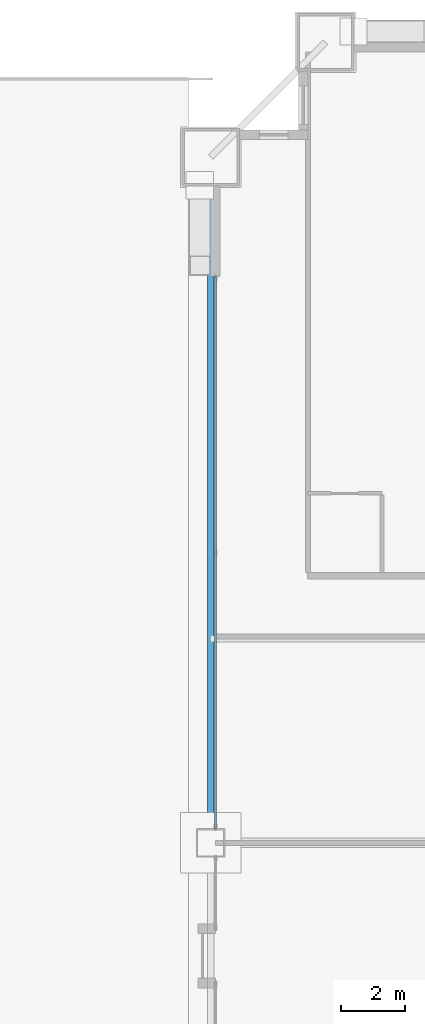
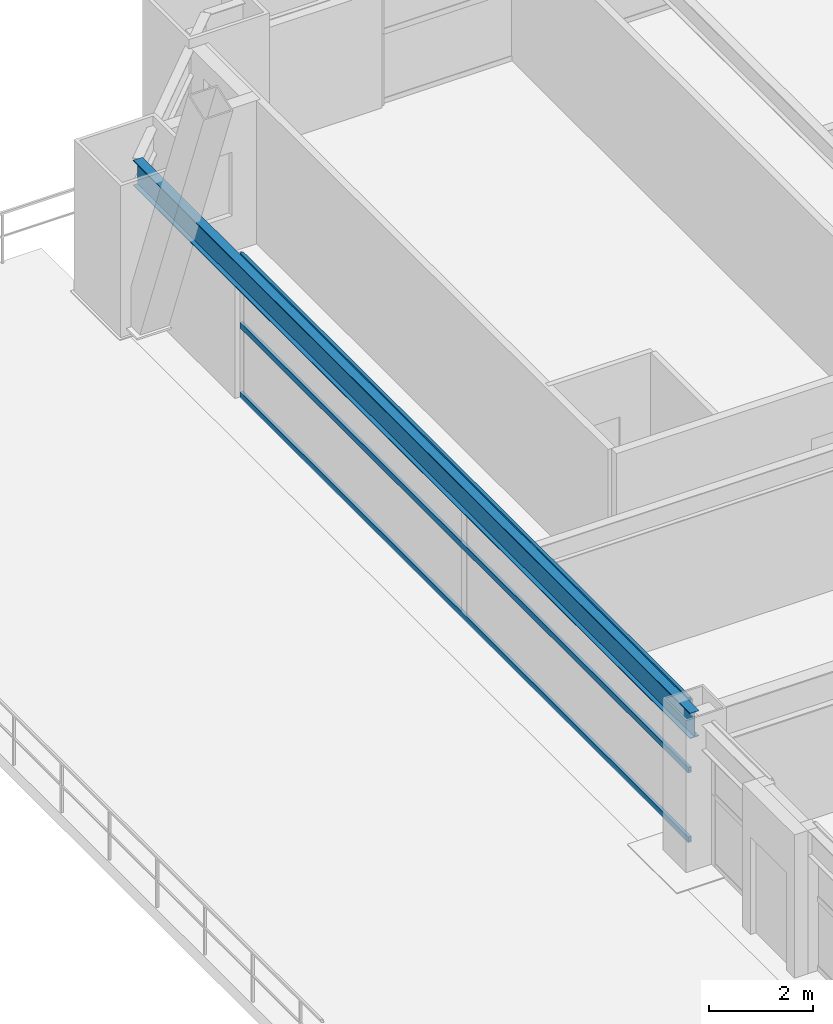
# One storey, part 22 of 45: 3 members, 1 beam, 1 element without a shape of its own.
"""IFC4 building model written with IfcOpenShell, lengths in metres."""

from ifc_helpers import new_model, si_unit, direction, frame, origin, origin_2d, place, context, subcontext, project, spatial, hollow_rectangle, i_section, extrude, source, transform, mapped, material, layer, layer_set, material_profile, profile_set, type_object, element, aggregate, save


model = new_model("IFC4")

# Units and contexts
model_context = context("Model", 3, precision=1e-05, world=origin(), true_north=direction((0.0, 1.0)))
body_context = subcontext(model_context, "Body", "Model", "MODEL_VIEW")
ifc_project = project(units=[si_unit("LENGTHUNIT", "METRE"), si_unit("AREAUNIT", "SQUARE_METRE"), si_unit("VOLUMEUNIT", "CUBIC_METRE"), si_unit("PLANEANGLEUNIT", "RADIAN"), si_unit("MASSUNIT", "GRAM", prefix="KILO"), si_unit("THERMODYNAMICTEMPERATUREUNIT", "KELVIN"), si_unit("POWERUNIT", "WATT")], contexts=[model_context])

# Site, building, storey
site_placement = place(None, origin())
site = spatial("IfcSite", under=ifc_project, at=site_placement, CompositionType="ELEMENT")
building_placement = place(site_placement, origin())
building = spatial("IfcBuilding", under=site, at=building_placement, Name="Yuzanri Waterfront Tower", CompositionType="ELEMENT")
storey_placement = place(building_placement, frame((0.0, 0.0, 30.60009765625)))
storey = spatial("IfcBuildingStorey", under=building, at=storey_placement, Name="L07", CompositionType="ELEMENT", Elevation=30.60009765625)

# Beam
ifc_material_1 = material(Name="Steel Q355B", Category="steel")
ifc_material_profile_1 = material_profile(ifc_material_1, i_section(OverallWidth=0.199951171875, OverallDepth=0.60009765625, WebThickness=0.010986328125, FlangeThickness=0.01708984375, at=origin_2d()), Name="HN 600x200x11x17")
ifc_profile_set_1 = profile_set([ifc_material_profile_1], Name="Steel Q355B")
beam_type = type_object("IfcBeamType", Name="Perimeter Spandrel Q355B HN 600x200", PredefinedType="SPANDREL", material=ifc_profile_set_1)
shared_shape_1 = source(origin(), body_context, "Body", "SweptSolid", [
    extrude(i_section(OverallWidth=0.199951171875, OverallDepth=0.60009765625, WebThickness=0.010986328125, FlangeThickness=0.01708984375, at=origin_2d()), origin(), (0.0, 0.0, 1.0), 21.5),
])
beam_placement = place(storey_placement, frame((11.89990234375, 47.300048828125, 3.079833984375), z_axis=(0.0, -1.0, 0.0), x_axis=(1.0, 0.0, 0.0)))
element("IfcBeam", 1, at=beam_placement, inside=storey, type_object=beam_type, Name="L07 Perimeter Spandrel W3-W2", PredefinedType="SPANDREL", context=body_context, shape_type="MappedRepresentation", body=[
    mapped(shared_shape_1, transform((0.0, 0.0, 0.0), scale=1.0)),
])

# Curtain wall, members
ifc_material_2 = material(Name="Anodized Architectural Bronze", Category="metal")
ifc_layer = layer(ifc_material_2, 0.159912109375)
ifc_layer_set = layer_set([ifc_layer], Name="Anodized Architectural Bronze")
curtain_wall_type = type_object("IfcCurtainWallType", Name="Anodized Bronze Hotel Lower-Tier Recessed Unitized Curtain Wall 8100", PredefinedType="NOTDEFINED", material=ifc_layer_set)
curtain_wall_placement = place(storey_placement, origin())
curtain_wall = element("IfcCurtainWall", 2, at=curtain_wall_placement, inside=storey, type_object=curtain_wall_type, Name="L07 Curtain Wall CW-L07-WR", PredefinedType="NOTDEFINED")
ifc_material_3 = material(Name="Anodized Architectural Bronze", Category="metal")
ifc_material_profile_2 = material_profile(ifc_material_3, hollow_rectangle(XDim=0.070068359375, YDim=0.135009765625, WallThickness=0.00341796875, at=origin_2d()), Name="CWT 70x135")
ifc_profile_set_2 = profile_set([ifc_material_profile_2], Name="Anodized Architectural Bronze")
member_type = type_object("IfcMemberType", Name="Anodized Bronze Standard Curtain-Wall Transom 70x135", PredefinedType="USERDEFINED", material=ifc_profile_set_2)
shared_shape_2 = source(origin(), body_context, "Body", "SweptSolid", [
    extrude(hollow_rectangle(XDim=0.070068359375, YDim=0.135009765625, WallThickness=0.00341796875, at=origin_2d()), origin(), (0.0, 0.0, 1.0), 17.300048828125),
])
member_1_placement = place(storey_placement, frame((12.050048828125, 26.25, 0.0498046875), z_axis=(0.0, 1.0, 0.0), x_axis=(-1.0, 0.0, 0.0)))
member_1 = element("IfcMember", 3, at=member_1_placement, type_object=member_type, Name="CW-L07-WR Transom 1", ObjectType="TRANSOM", PredefinedType="USERDEFINED", context=body_context, shape_type="MappedRepresentation", body=[
    mapped(shared_shape_2, transform((0.0, 0.0, 0.0), scale=1.0)),
])
member_2_placement = place(storey_placement, frame((12.050048828125, 26.25, 1.68994140625), z_axis=(0.0, 1.0, 0.0), x_axis=(-1.0, 0.0, 0.0)))
member_2 = element("IfcMember", 4, at=member_2_placement, type_object=member_type, Name="CW-L07-WR Transom 2", ObjectType="TRANSOM", PredefinedType="USERDEFINED", context=body_context, shape_type="MappedRepresentation", body=[
    mapped(shared_shape_2, transform((0.0, 0.0, 0.0), scale=1.0)),
])
member_3_placement = place(storey_placement, frame((12.050048828125, 26.25, 3.329833984375), z_axis=(0.0, 1.0, 0.0), x_axis=(-1.0, 0.0, 0.0)))
member_3 = element("IfcMember", 5, at=member_3_placement, type_object=member_type, Name="CW-L07-WR Transom 3", ObjectType="TRANSOM", PredefinedType="USERDEFINED", context=body_context, shape_type="MappedRepresentation", body=[
    mapped(shared_shape_2, transform((0.0, 0.0, 0.0), scale=1.0)),
])
aggregate(curtain_wall, [member_1, member_2, member_3])

save(model, "model.ifc")
